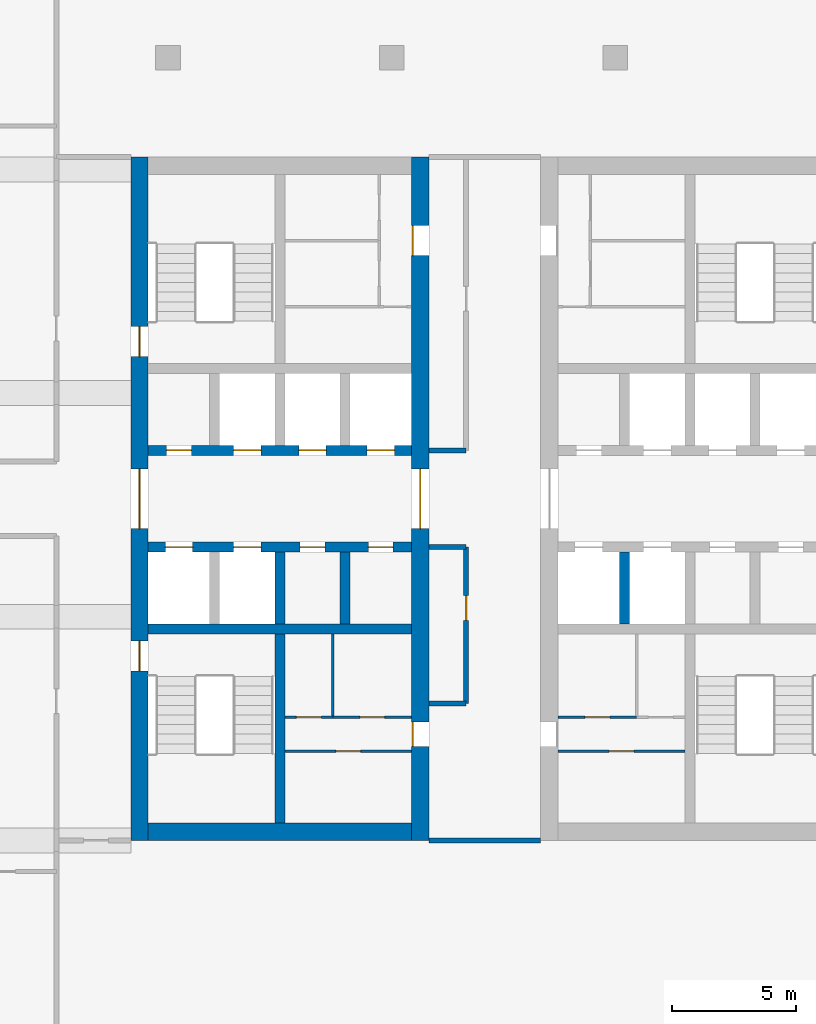
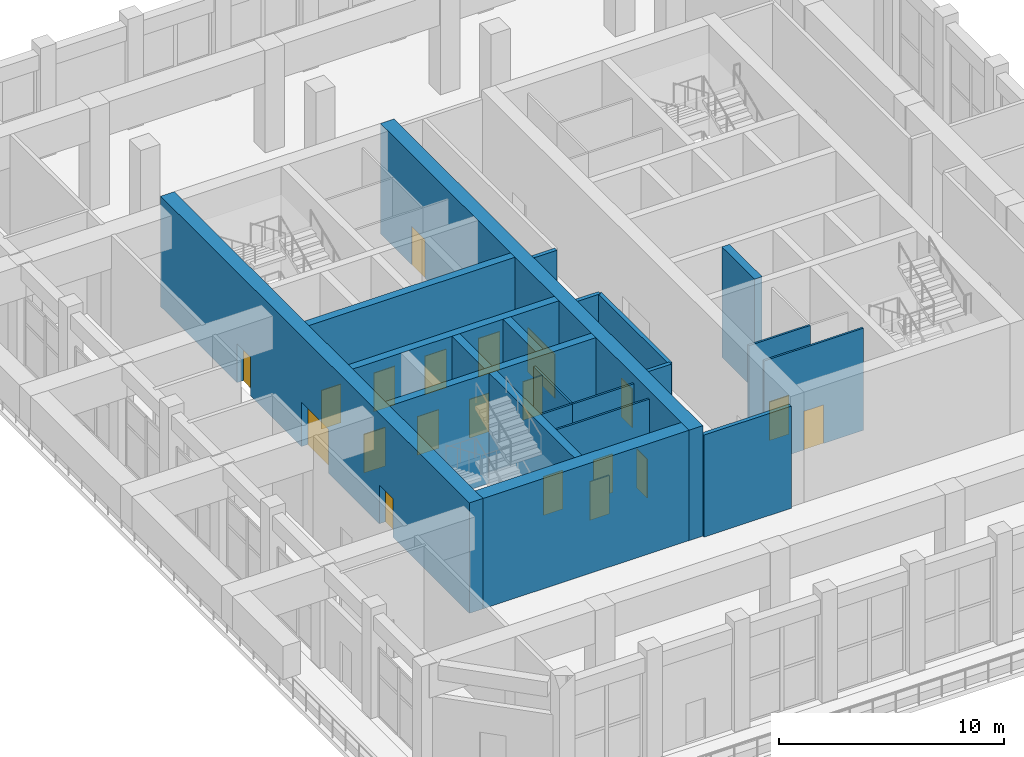
# One storey, part 12 of 25: 21 walls, 20 doors, 20 openings.
"""IFC4 building model written with IfcOpenShell, lengths in metres."""

from ifc_helpers import new_model, si_unit, direction, frame, frame_2d, origin, place, context, subcontext, project, spatial, rectangle, extrude, material, layer, layer_set, type_object, element, fill, save


model = new_model("IFC4")

# Units and contexts
model_context = context("Model", 3, precision=1e-05, world=origin(), true_north=direction((0.0, 1.0)))
body_context = subcontext(model_context, "Body", "Model", "MODEL_VIEW")
ifc_project = project(units=[si_unit("LENGTHUNIT", "METRE"), si_unit("AREAUNIT", "SQUARE_METRE"), si_unit("VOLUMEUNIT", "CUBIC_METRE"), si_unit("PLANEANGLEUNIT", "RADIAN"), si_unit("MASSUNIT", "GRAM", prefix="KILO")], contexts=[model_context])

# Site, building, storey
site_placement = place(None, origin())
site = spatial("IfcSite", under=ifc_project, at=site_placement, CompositionType="ELEMENT")
building_placement = place(site_placement, origin())
building = spatial("IfcBuilding", under=site, at=building_placement, Name="Corbel Stack Research Tower", CompositionType="ELEMENT")
storey_placement = place(building_placement, frame((0.0, 0.0, 260.300048828125)))
storey = spatial("IfcBuildingStorey", under=building, at=storey_placement, Name="L59", CompositionType="ELEMENT", Elevation=260.300048828125)

# Wall
ifc_material_1 = material(Name="Concrete C60/75", Category="concrete")
ifc_layer_1 = layer(ifc_material_1, 0.39990234375)
ifc_layer_set_1 = layer_set([ifc_layer_1], Name="Concrete C60/75")
wall_type_1 = type_object("IfcWallType", Name="CW-400-60", PredefinedType="SHEAR", material=ifc_layer_set_1)
wall_1_placement = place(storey_placement, frame((-9.800048828125, -0.5, 0.0), z_axis=(0.0, 0.0, 1.0), x_axis=(1.0, 0.0, 0.0)))
element("IfcWall", 1, at=wall_1_placement, inside=storey, type_object=wall_type_1, Name="West core wall, south row back L59", PredefinedType="SHEAR", context=body_context, shape_type="SweptSolid", body=[
    extrude(rectangle(XDim=10.60009765625, YDim=0.39990234375, at=frame_2d((5.300048828125, 0.0))), origin(), (0.0, 0.0, 1.0), 6.0),
])

# Wall, openings, doors
wall_2_placement = place(storey_placement, frame((-9.800048828125, 2.800048828125, 0.0), z_axis=(0.0, 0.0, 1.0), x_axis=(1.0, 0.0, 0.0)))
wall_2 = element("IfcWall", 2, at=wall_2_placement, inside=storey, type_object=wall_type_1, Name="West core wall, lobby south L59", PredefinedType="SHEAR", context=body_context, shape_type="SweptSolid", body=[
    extrude(rectangle(XDim=10.60009765625, YDim=0.39990234375, at=frame_2d((5.300048828125, 0.0))), origin(), (0.0, 0.0, 1.0), 6.0),
])
opening_1_placement = place(wall_2_placement, frame((0.6875, 0.0, 0.0)))
opening_1 = element("IfcOpeningElement", 3, at=opening_1_placement, cuts=wall_2, Name="Opening LD-FS1", PredefinedType="OPENING", context=body_context, shape_type="SweptSolid", body=[
    extrude(rectangle(XDim=1.10009765625, YDim=2.10009765625, at=frame_2d((0.550048828125, 1.050048828125))), frame((0.0, 0.2099609375, 0.0), z_axis=(0.0, -1.0, 0.0), x_axis=(1.0, 0.0, 0.0)), (0.0, 0.0, 1.0), 0.419921875),
])
opening_2_placement = place(wall_2_placement, frame((3.4375, 0.0, 0.0)))
opening_2 = element("IfcOpeningElement", 4, at=opening_2_placement, cuts=wall_2, Name="Opening LD-GL1", PredefinedType="OPENING", context=body_context, shape_type="SweptSolid", body=[
    extrude(rectangle(XDim=1.10009765625, YDim=2.10009765625, at=frame_2d((0.550048828125, 1.050048828125))), frame((0.0, 0.2099609375, 0.0), z_axis=(0.0, -1.0, 0.0), x_axis=(1.0, 0.0, 0.0)), (0.0, 0.0, 1.0), 0.419921875),
])
opening_3_placement = place(wall_2_placement, frame((6.112548828125, 0.0, 0.0)))
opening_3 = element("IfcOpeningElement", 5, at=opening_3_placement, cuts=wall_2, Name="Opening CR-W24-S3", PredefinedType="OPENING", context=body_context, shape_type="SweptSolid", body=[
    extrude(rectangle(XDim=1.0, YDim=2.10009765625, at=frame_2d((0.5, 1.050048828125))), frame((0.0, 0.2099609375, 0.0), z_axis=(0.0, -1.0, 0.0), x_axis=(1.0, 0.0, 0.0)), (0.0, 0.0, 1.0), 0.419921875),
])
opening_4_placement = place(wall_2_placement, frame((8.862548828125, 0.0, 0.0)))
opening_4 = element("IfcOpeningElement", 6, at=opening_4_placement, cuts=wall_2, Name="Opening CR-W24-S4", PredefinedType="OPENING", context=body_context, shape_type="SweptSolid", body=[
    extrude(rectangle(XDim=1.0, YDim=2.10009765625, at=frame_2d((0.5, 1.050048828125))), frame((0.0, 0.2099609375, 0.0), z_axis=(0.0, -1.0, 0.0), x_axis=(1.0, 0.0, 0.0)), (0.0, 0.0, 1.0), 0.419921875),
])
ifc_material_2 = material(Name="Stainless steel landing door", Category="steel")
door_type_1 = type_object("IfcDoorType", Name="Lift landing door 1100 x 2100", OperationType="DOUBLE_DOOR_SLIDING", PredefinedType="DOOR", material=ifc_material_2)
door_1_placement = place(opening_1_placement, origin())
door_1 = element("IfcDoor", 7, at=door_1_placement, inside=storey, type_object=door_type_1, Name="Landing door FS1", OperationType="DOUBLE_DOOR_SLIDING", OverallHeight=2.10009765625, OverallWidth=1.10009765625, PredefinedType="DOOR", context=body_context, shape_type="SweptSolid", body=[
    extrude(rectangle(XDim=1.10009765625, YDim=2.10009765625, at=frame_2d((0.550048828125, 1.050048828125))), frame((0.0, 0.02490234375, 0.0), z_axis=(0.0, -1.0, 0.0), x_axis=(1.0, 0.0, 0.0)), (0.0, 0.0, 1.0), 0.050048828125),
])
fill(opening_1, door_1)
door_2_placement = place(opening_2_placement, origin())
door_2 = element("IfcDoor", 8, at=door_2_placement, inside=storey, type_object=door_type_1, Name="Landing door GL1", OperationType="DOUBLE_DOOR_SLIDING", OverallHeight=2.10009765625, OverallWidth=1.10009765625, PredefinedType="DOOR", context=body_context, shape_type="SweptSolid", body=[
    extrude(rectangle(XDim=1.10009765625, YDim=2.10009765625, at=frame_2d((0.550048828125, 1.050048828125))), frame((0.0, 0.02490234375, 0.0), z_axis=(0.0, -1.0, 0.0), x_axis=(1.0, 0.0, 0.0)), (0.0, 0.0, 1.0), 0.050048828125),
])
fill(opening_2, door_2)
ifc_material_3 = material(Name="Painted steel door", Category="steel")
door_type_2 = type_object("IfcDoorType", Name="Service door 1000 x 2100 FD60 left hand", OperationType="SINGLE_SWING_LEFT", PredefinedType="DOOR", material=ifc_material_3)
door_3_placement = place(opening_3_placement, origin())
door_3 = element("IfcDoor", 9, at=door_3_placement, inside=storey, type_object=door_type_2, Name="Vending bay door W core", OperationType="SINGLE_SWING_LEFT", OverallHeight=2.10009765625, OverallWidth=1.0, PredefinedType="DOOR", context=body_context, shape_type="SweptSolid", body=[
    extrude(rectangle(XDim=1.0, YDim=2.10009765625, at=frame_2d((0.5, 1.050048828125))), frame((0.0, 0.02490234375, 0.0), z_axis=(0.0, -1.0, 0.0), x_axis=(1.0, 0.0, 0.0)), (0.0, 0.0, 1.0), 0.050048828125),
])
fill(opening_3, door_3)
ifc_material_4 = material(Name="Painted steel door", Category="steel")
door_type_3 = type_object("IfcDoorType", Name="Service door 1000 x 2100 FD60 right hand", OperationType="SINGLE_SWING_RIGHT", PredefinedType="DOOR", material=ifc_material_4)
door_4_placement = place(opening_4_placement, origin())
door_4 = element("IfcDoor", 10, at=door_4_placement, inside=storey, type_object=door_type_3, Name="Mechanical room door W core", OperationType="SINGLE_SWING_RIGHT", OverallHeight=2.10009765625, OverallWidth=1.0, PredefinedType="DOOR", context=body_context, shape_type="SweptSolid", body=[
    extrude(rectangle(XDim=1.0, YDim=2.10009765625, at=frame_2d((0.5, 1.050048828125))), frame((0.0, 0.02490234375, 0.0), z_axis=(0.0, -1.0, 0.0), x_axis=(1.0, 0.0, 0.0)), (0.0, 0.0, 1.0), 0.050048828125),
])
fill(opening_4, door_4)

wall_3_placement = place(storey_placement, frame((-9.800048828125, 6.699951171875, 0.0), z_axis=(0.0, 0.0, 1.0), x_axis=(1.0, 0.0, 0.0)))
wall_3 = element("IfcWall", 11, at=wall_3_placement, inside=storey, type_object=wall_type_1, Name="West core wall, lobby north L59", PredefinedType="SHEAR", context=body_context, shape_type="SweptSolid", body=[
    extrude(rectangle(XDim=10.60009765625, YDim=0.39990234375, at=frame_2d((5.300048828125, 0.0))), origin(), (0.0, 0.0, 1.0), 6.0),
])
opening_5_placement = place(wall_3_placement, frame((3.4375, 0.0, 0.0)))
opening_5 = element("IfcOpeningElement", 12, at=opening_5_placement, cuts=wall_3, Name="Opening LD-HR1", PredefinedType="OPENING", context=body_context, shape_type="SweptSolid", body=[
    extrude(rectangle(XDim=1.10009765625, YDim=2.10009765625, at=frame_2d((0.550048828125, 1.050048828125))), frame((0.0, 0.2099609375, 0.0), z_axis=(0.0, -1.0, 0.0), x_axis=(1.0, 0.0, 0.0)), (0.0, 0.0, 1.0), 0.419921875),
])
opening_6_placement = place(wall_3_placement, frame((6.0625, 0.0, 0.0)))
opening_6 = element("IfcOpeningElement", 13, at=opening_6_placement, cuts=wall_3, Name="Opening LD-HR2", PredefinedType="OPENING", context=body_context, shape_type="SweptSolid", body=[
    extrude(rectangle(XDim=1.10009765625, YDim=2.10009765625, at=frame_2d((0.550048828125, 1.050048828125))), frame((0.0, 0.2099609375, 0.0), z_axis=(0.0, -1.0, 0.0), x_axis=(1.0, 0.0, 0.0)), (0.0, 0.0, 1.0), 0.419921875),
])
opening_7_placement = place(wall_3_placement, frame((8.8125, 0.0, 0.0)))
opening_7 = element("IfcOpeningElement", 14, at=opening_7_placement, cuts=wall_3, Name="Opening LD-HR3", PredefinedType="OPENING", context=body_context, shape_type="SweptSolid", body=[
    extrude(rectangle(XDim=1.10009765625, YDim=2.10009765625, at=frame_2d((0.550048828125, 1.050048828125))), frame((0.0, 0.2099609375, 0.0), z_axis=(0.0, -1.0, 0.0), x_axis=(1.0, 0.0, 0.0)), (0.0, 0.0, 1.0), 0.419921875),
])
opening_8_placement = place(wall_3_placement, frame((0.737548828125, 0.0, 0.0)))
opening_8 = element("IfcOpeningElement", 15, at=opening_8_placement, cuts=wall_3, Name="Opening CR-W24-N1", PredefinedType="OPENING", context=body_context, shape_type="SweptSolid", body=[
    extrude(rectangle(XDim=1.0, YDim=2.10009765625, at=frame_2d((0.5, 1.050048828125))), frame((0.0, 0.2099609375, 0.0), z_axis=(0.0, -1.0, 0.0), x_axis=(1.0, 0.0, 0.0)), (0.0, 0.0, 1.0), 0.419921875),
])
door_5_placement = place(opening_5_placement, origin())
door_5 = element("IfcDoor", 16, at=door_5_placement, inside=storey, type_object=door_type_1, Name="Landing door HR1", OperationType="DOUBLE_DOOR_SLIDING", OverallHeight=2.10009765625, OverallWidth=1.10009765625, PredefinedType="DOOR", context=body_context, shape_type="SweptSolid", body=[
    extrude(rectangle(XDim=1.10009765625, YDim=2.10009765625, at=frame_2d((0.550048828125, 1.050048828125))), frame((0.0, 0.02490234375, 0.0), z_axis=(0.0, -1.0, 0.0), x_axis=(1.0, 0.0, 0.0)), (0.0, 0.0, 1.0), 0.050048828125),
])
fill(opening_5, door_5)
door_6_placement = place(opening_6_placement, origin())
door_6 = element("IfcDoor", 17, at=door_6_placement, inside=storey, type_object=door_type_1, Name="Landing door HR2", OperationType="DOUBLE_DOOR_SLIDING", OverallHeight=2.10009765625, OverallWidth=1.10009765625, PredefinedType="DOOR", context=body_context, shape_type="SweptSolid", body=[
    extrude(rectangle(XDim=1.10009765625, YDim=2.10009765625, at=frame_2d((0.550048828125, 1.050048828125))), frame((0.0, 0.02490234375, 0.0), z_axis=(0.0, -1.0, 0.0), x_axis=(1.0, 0.0, 0.0)), (0.0, 0.0, 1.0), 0.050048828125),
])
fill(opening_6, door_6)
door_7_placement = place(opening_7_placement, origin())
door_7 = element("IfcDoor", 18, at=door_7_placement, inside=storey, type_object=door_type_1, Name="Landing door HR3", OperationType="DOUBLE_DOOR_SLIDING", OverallHeight=2.10009765625, OverallWidth=1.10009765625, PredefinedType="DOOR", context=body_context, shape_type="SweptSolid", body=[
    extrude(rectangle(XDim=1.10009765625, YDim=2.10009765625, at=frame_2d((0.550048828125, 1.050048828125))), frame((0.0, 0.02490234375, 0.0), z_axis=(0.0, -1.0, 0.0), x_axis=(1.0, 0.0, 0.0)), (0.0, 0.0, 1.0), 0.050048828125),
])
fill(opening_7, door_7)
door_8_placement = place(opening_8_placement, origin())
door_8 = element("IfcDoor", 19, at=door_8_placement, inside=storey, type_object=door_type_2, Name="Telecom room door W core", OperationType="SINGLE_SWING_LEFT", OverallHeight=2.10009765625, OverallWidth=1.0, PredefinedType="DOOR", context=body_context, shape_type="SweptSolid", body=[
    extrude(rectangle(XDim=1.0, YDim=2.10009765625, at=frame_2d((0.5, 1.050048828125))), frame((0.0, 0.02490234375, 0.0), z_axis=(0.0, -1.0, 0.0), x_axis=(1.0, 0.0, 0.0)), (0.0, 0.0, 1.0), 0.050048828125),
])
fill(opening_8, door_8)

# Walls
for number, where, z_axis, x_axis, name in (
    (20, (-4.5, -0.300048828125, 0.0), (0.0, 0.0, 1.0), (0.0, 1.0, 0.0), "West core wall, south shaft 2 L59"),
    (21, (-1.875, -0.300048828125, 0.0), (0.0, 0.0, 1.0), (0.0, 1.0, 0.0), "West core wall, south shaft 3 L59"),
):
    element("IfcWall", number, at=place(storey_placement, frame(where, z_axis=z_axis, x_axis=x_axis)), inside=storey, type_object=wall_type_1, Name=name, PredefinedType="SHEAR", context=body_context, shape_type="SweptSolid", body=[
        extrude(rectangle(XDim=2.900146484375, YDim=0.39990234375, at=frame_2d((1.4501953125, 0.0))), origin(), (0.0, 0.0, 1.0), 6.0),
    ])
wall_4_placement = place(storey_placement, frame((-4.5, -8.300048828125, 0.0), z_axis=(0.0, 0.0, 1.0), x_axis=(0.0, 1.0, 0.0)))
element("IfcWall", 22, at=wall_4_placement, inside=storey, type_object=wall_type_1, Name="West core wall, south stair and WC L59", PredefinedType="SHEAR", context=body_context, shape_type="SweptSolid", body=[
    extrude(rectangle(XDim=7.60009765625, YDim=0.39990234375, at=frame_2d((3.800048828125, 0.0))), origin(), (0.0, 0.0, 1.0), 6.0),
])
wall_5_placement = place(storey_placement, frame((9.375, -0.300048828125, 0.0), z_axis=(0.0, 0.0, 1.0), x_axis=(0.0, 1.0, 0.0)))
element("IfcWall", 23, at=wall_5_placement, inside=storey, type_object=wall_type_1, Name="East core wall, south shaft 1 L59", PredefinedType="SHEAR", context=body_context, shape_type="SweptSolid", body=[
    extrude(rectangle(XDim=2.900146484375, YDim=0.39990234375, at=frame_2d((1.4501953125, 0.0))), origin(), (0.0, 0.0, 1.0), 6.0),
])

# Wall, openings, doors
ifc_material_5 = material(Name="Concrete C60/75", Category="concrete")
ifc_layer_2 = layer(ifc_material_5, 0.699951171875)
ifc_layer_set_2 = layer_set([ifc_layer_2], Name="Concrete C60/75")
wall_type_2 = type_object("IfcWallType", Name="CW-700-60", PredefinedType="SHEAR", material=ifc_layer_set_2)
wall_6_placement = place(storey_placement, frame((-10.14990234375, -9.0, 0.0), z_axis=(0.0, 0.0, 1.0), x_axis=(0.0, 1.0, 0.0)))
wall_6 = element("IfcWall", 24, at=wall_6_placement, inside=storey, type_object=wall_type_2, Name="West core wall, west face L59", PredefinedType="SHEAR", context=body_context, shape_type="SweptSolid", body=[
    extrude(rectangle(XDim=27.5, YDim=0.699951171875, at=frame_2d((13.75, 0.0))), origin(), (0.0, 0.0, 1.0), 6.0),
])
opening_9_placement = place(wall_6_placement, frame((12.550048828125, 0.0, 0.0)))
opening_9 = element("IfcOpeningElement", 25, at=opening_9_placement, cuts=wall_6, Name="Opening CD-W-W", PredefinedType="OPENING", context=body_context, shape_type="SweptSolid", body=[
    extrude(rectangle(XDim=2.39990234375, YDim=2.39990234375, at=frame_2d((1.199951171875, 1.199951171875))), frame((0.0, 0.35986328125, 0.0), z_axis=(0.0, -1.0, 0.0), x_axis=(1.0, 0.0, 0.0)), (0.0, 0.0, 1.0), 0.719970703125),
])
opening_10_placement = place(wall_6_placement, frame((6.824951171875, 0.0, 0.0)))
opening_10 = element("IfcOpeningElement", 26, at=opening_10_placement, cuts=wall_6, Name="Opening SD-ST-W1", PredefinedType="OPENING", context=body_context, shape_type="SweptSolid", body=[
    extrude(rectangle(XDim=1.199951171875, YDim=2.10009765625, at=frame_2d((0.60009765625, 1.050048828125))), frame((0.0, 0.35986328125, 0.0), z_axis=(0.0, -1.0, 0.0), x_axis=(1.0, 0.0, 0.0)), (0.0, 0.0, 1.0), 0.719970703125),
])
opening_11_placement = place(wall_6_placement, frame((19.47509765625, 0.0, 0.0)))
opening_11 = element("IfcOpeningElement", 27, at=opening_11_placement, cuts=wall_6, Name="Opening SD-ST-W2", PredefinedType="OPENING", context=body_context, shape_type="SweptSolid", body=[
    extrude(rectangle(XDim=1.199951171875, YDim=2.10009765625, at=frame_2d((0.60009765625, 1.050048828125))), frame((0.0, 0.35986328125, 0.0), z_axis=(0.0, -1.0, 0.0), x_axis=(1.0, 0.0, 0.0)), (0.0, 0.0, 1.0), 0.719970703125),
])
ifc_material_6 = material(Name="Painted steel fire door", Category="steel")
door_type_4 = type_object("IfcDoorType", Name="Lobby door pair 2400 x 2400 FD30S", OperationType="DOUBLE_DOOR_DOUBLE_SWING", PredefinedType="DOOR", material=ifc_material_6)
door_9_placement = place(opening_9_placement, origin())
door_9 = element("IfcDoor", 28, at=door_9_placement, inside=storey, type_object=door_type_4, Name="Lift lobby door W core W", OperationType="DOUBLE_DOOR_DOUBLE_SWING", OverallHeight=2.39990234375, OverallWidth=2.39990234375, PredefinedType="DOOR", context=body_context, shape_type="SweptSolid", body=[
    extrude(rectangle(XDim=2.39990234375, YDim=2.39990234375, at=frame_2d((1.199951171875, 1.199951171875))), frame((0.0, 0.02490234375, 0.0), z_axis=(0.0, -1.0, 0.0), x_axis=(1.0, 0.0, 0.0)), (0.0, 0.0, 1.0), 0.050048828125),
])
fill(opening_9, door_9)
ifc_material_7 = material(Name="Painted steel fire door", Category="steel")
door_type_5 = type_object("IfcDoorType", Name="Stair door 1200 x 2100 FD90 left hand", OperationType="SINGLE_SWING_LEFT", PredefinedType="DOOR", material=ifc_material_7)
door_10_placement = place(opening_10_placement, origin())
door_10 = element("IfcDoor", 29, at=door_10_placement, inside=storey, type_object=door_type_5, Name="Stair door ST-W1", OperationType="SINGLE_SWING_LEFT", OverallHeight=2.10009765625, OverallWidth=1.199951171875, PredefinedType="DOOR", context=body_context, shape_type="SweptSolid", body=[
    extrude(rectangle(XDim=1.199951171875, YDim=2.10009765625, at=frame_2d((0.60009765625, 1.050048828125))), frame((0.0, 0.02490234375, 0.0), z_axis=(0.0, -1.0, 0.0), x_axis=(1.0, 0.0, 0.0)), (0.0, 0.0, 1.0), 0.050048828125),
])
fill(opening_10, door_10)
door_11_placement = place(opening_11_placement, origin())
door_11 = element("IfcDoor", 30, at=door_11_placement, inside=storey, type_object=door_type_5, Name="Stair door ST-W2", OperationType="SINGLE_SWING_LEFT", OverallHeight=2.10009765625, OverallWidth=1.199951171875, PredefinedType="DOOR", context=body_context, shape_type="SweptSolid", body=[
    extrude(rectangle(XDim=1.199951171875, YDim=2.10009765625, at=frame_2d((0.60009765625, 1.050048828125))), frame((0.0, 0.02490234375, 0.0), z_axis=(0.0, -1.0, 0.0), x_axis=(1.0, 0.0, 0.0)), (0.0, 0.0, 1.0), 0.050048828125),
])
fill(opening_11, door_11)

wall_7_placement = place(storey_placement, frame((1.14990234375, -9.0, 0.0), z_axis=(0.0, 0.0, 1.0), x_axis=(0.0, 1.0, 0.0)))
wall_7 = element("IfcWall", 31, at=wall_7_placement, inside=storey, type_object=wall_type_2, Name="West core wall, east face L59", PredefinedType="SHEAR", context=body_context, shape_type="SweptSolid", body=[
    extrude(rectangle(XDim=27.5, YDim=0.699951171875, at=frame_2d((13.75, 0.0))), origin(), (0.0, 0.0, 1.0), 6.0),
])
opening_12_placement = place(wall_7_placement, frame((12.550048828125, 0.0, 0.0)))
opening_12 = element("IfcOpeningElement", 32, at=opening_12_placement, cuts=wall_7, Name="Opening CD-W-E", PredefinedType="OPENING", context=body_context, shape_type="SweptSolid", body=[
    extrude(rectangle(XDim=2.39990234375, YDim=2.39990234375, at=frame_2d((1.199951171875, 1.199951171875))), frame((0.0, 0.35986328125, 0.0), z_axis=(0.0, -1.0, 0.0), x_axis=(1.0, 0.0, 0.0)), (0.0, 0.0, 1.0), 0.719970703125),
])
opening_13_placement = place(wall_7_placement, frame((3.7880859375, 0.0, 0.0)))
opening_13 = element("IfcOpeningElement", 33, at=opening_13_placement, cuts=wall_7, Name="Opening CR-W24-W1-968", PredefinedType="OPENING", context=body_context, shape_type="SweptSolid", body=[
    extrude(rectangle(XDim=0.968017578125, YDim=2.10009765625, at=frame_2d((0.48388671875, 1.050048828125))), frame((0.0, 0.35986328125, 0.0), z_axis=(0.0, -1.0, 0.0), x_axis=(1.0, 0.0, 0.0)), (0.0, 0.0, 1.0), 0.719970703125),
])
opening_14_placement = place(wall_7_placement, frame((23.5400390625, 0.0, 0.0)))
opening_14 = element("IfcOpeningElement", 34, at=opening_14_placement, cuts=wall_7, Name="Opening CR-W24-R2-1200", PredefinedType="OPENING", context=body_context, shape_type="SweptSolid", body=[
    extrude(rectangle(XDim=1.199951171875, YDim=2.10009765625, at=frame_2d((0.60009765625, 1.050048828125))), frame((0.0, 0.35986328125, 0.0), z_axis=(0.0, -1.0, 0.0), x_axis=(1.0, 0.0, 0.0)), (0.0, 0.0, 1.0), 0.719970703125),
])
door_12_placement = place(opening_12_placement, origin())
door_12 = element("IfcDoor", 35, at=door_12_placement, inside=storey, type_object=door_type_4, Name="Lift lobby door W core E", OperationType="DOUBLE_DOOR_DOUBLE_SWING", OverallHeight=2.39990234375, OverallWidth=2.39990234375, PredefinedType="DOOR", context=body_context, shape_type="SweptSolid", body=[
    extrude(rectangle(XDim=2.39990234375, YDim=2.39990234375, at=frame_2d((1.199951171875, 1.199951171875))), frame((0.0, 0.02490234375, 0.0), z_axis=(0.0, -1.0, 0.0), x_axis=(1.0, 0.0, 0.0)), (0.0, 0.0, 1.0), 0.050048828125),
])
fill(opening_12, door_12)
ifc_material_8 = material(Name="Painted steel door", Category="steel")
door_type_6 = type_object("IfcDoorType", Name="Service door 1200 x 2100 FD30 right hand", OperationType="SINGLE_SWING_RIGHT", PredefinedType="DOOR", material=ifc_material_8)
door_13_placement = place(opening_14_placement, origin())
door_13 = element("IfcDoor", 36, at=door_13_placement, inside=storey, type_object=door_type_6, Name="Service passage door W core", OperationType="SINGLE_SWING_RIGHT", OverallHeight=2.10009765625, OverallWidth=1.199951171875, PredefinedType="DOOR", context=body_context, shape_type="SweptSolid", body=[
    extrude(rectangle(XDim=1.199951171875, YDim=2.10009765625, at=frame_2d((0.60009765625, 1.050048828125))), frame((0.0, 0.3251953125, 0.0), z_axis=(0.0, -1.0, 0.0), x_axis=(1.0, 0.0, 0.0)), (0.0, 0.0, 1.0), 0.050048828125),
])
fill(opening_14, door_13)
ifc_material_9 = material(Name="Painted timber door", Category="wood")
door_type_7 = type_object("IfcDoorType", Name="WC door 968 x 2100 left hand", OperationType="SINGLE_SWING_LEFT", PredefinedType="DOOR", material=ifc_material_9)
door_14_placement = place(opening_13_placement, origin())
door_14 = element("IfcDoor", 37, at=door_14_placement, inside=storey, type_object=door_type_7, Name="WC lobby door W core", OperationType="SINGLE_SWING_LEFT", OverallHeight=2.10009765625, OverallWidth=0.968017578125, PredefinedType="DOOR", context=body_context, shape_type="SweptSolid", body=[
    extrude(rectangle(XDim=0.968017578125, YDim=2.10009765625, at=frame_2d((0.48388671875, 1.050048828125))), frame((0.0, 0.3251953125, 0.0), z_axis=(0.0, -1.0, 0.0), x_axis=(1.0, 0.0, 0.0)), (0.0, 0.0, 1.0), 0.050048828125),
])
fill(opening_13, door_14)

# Wall
wall_8_placement = place(storey_placement, frame((-9.800048828125, -8.64990234375, 0.0), z_axis=(0.0, 0.0, 1.0), x_axis=(1.0, 0.0, 0.0)))
element("IfcWall", 38, at=wall_8_placement, inside=storey, type_object=wall_type_2, Name="West core wall, south end L59", PredefinedType="SHEAR", context=body_context, shape_type="SweptSolid", body=[
    extrude(rectangle(XDim=10.60009765625, YDim=0.699951171875, at=frame_2d((5.300048828125, 0.0))), origin(), (0.0, 0.0, 1.0), 6.0),
])

# Wall, opening, door
ifc_material_10 = material(Name="Gypsum board")
ifc_layer_3 = layer(ifc_material_10, 0.10009765625)
ifc_layer_set_3 = layer_set([ifc_layer_3], Name="Gypsum board")
wall_type_3 = type_object("IfcWallType", Name="Core partition 100", PredefinedType="PARTITIONING", material=ifc_layer_set_3)
wall_9_placement = place(storey_placement, frame((-4.300048828125, -5.412109375, 0.0), z_axis=(0.0, 0.0, 1.0), x_axis=(1.0, 0.0, 0.0)))
wall_9 = element("IfcWall", 39, at=wall_9_placement, inside=storey, type_object=wall_type_3, Name="Core partition W", PredefinedType="PARTITIONING", context=body_context, shape_type="SweptSolid", body=[
    extrude(rectangle(XDim=5.10009765625, YDim=0.10009765625, at=frame_2d((2.550048828125, 0.0))), origin(), (0.0, 0.0, 1.0), 5.550048828125),
])
opening_15_placement = place(wall_9_placement, frame((2.050048828125, 0.0, 0.0)))
opening_15 = element("IfcOpeningElement", 40, at=opening_15_placement, cuts=wall_9, Name="Opening CR-W24-W2-1000", PredefinedType="OPENING", context=body_context, shape_type="SweptSolid", body=[
    extrude(rectangle(XDim=1.0, YDim=2.10009765625, at=frame_2d((0.5, 1.050048828125))), frame((0.0, 0.06005859375, 0.0), z_axis=(0.0, -1.0, 0.0), x_axis=(1.0, 0.0, 0.0)), (0.0, 0.0, 1.0), 0.1201171875),
])
ifc_material_11 = material(Name="Painted timber door", Category="wood")
door_type_8 = type_object("IfcDoorType", Name="WC door 1000 x 2100 right hand", OperationType="SINGLE_SWING_RIGHT", PredefinedType="DOOR", material=ifc_material_11)
door_15_placement = place(opening_15_placement, origin())
door_15 = element("IfcDoor", 41, at=door_15_placement, inside=storey, type_object=door_type_8, Name="Men's WC door W core", OperationType="SINGLE_SWING_RIGHT", OverallHeight=2.10009765625, OverallWidth=1.0, PredefinedType="DOOR", context=body_context, shape_type="SweptSolid", body=[
    extrude(rectangle(XDim=1.0, YDim=2.10009765625, at=frame_2d((0.5, 1.050048828125))), frame((0.0, 0.02490234375, 0.0), z_axis=(0.0, -1.0, 0.0), x_axis=(1.0, 0.0, 0.0)), (0.0, 0.0, 1.0), 0.050048828125),
])
fill(opening_15, door_15)

wall_10_placement = place(storey_placement, frame((-2.362060546875, -4.0439453125, 0.0), z_axis=(0.0, 0.0, 1.0), x_axis=(1.0, 0.0, 0.0)))
wall_10 = element("IfcWall", 42, at=wall_10_placement, inside=storey, type_object=wall_type_3, Name="Core partition W", PredefinedType="PARTITIONING", context=body_context, shape_type="SweptSolid", body=[
    extrude(rectangle(XDim=3.162109375, YDim=0.10009765625, at=frame_2d((1.5810546875, 0.0))), origin(), (0.0, 0.0, 1.0), 5.550048828125),
])
opening_16_placement = place(wall_10_placement, frame((1.0810546875, 0.0, 0.0)))
opening_16 = element("IfcOpeningElement", 43, at=opening_16_placement, cuts=wall_10, Name="Opening CR-W24-W3-1000", PredefinedType="OPENING", context=body_context, shape_type="SweptSolid", body=[
    extrude(rectangle(XDim=1.0, YDim=2.10009765625, at=frame_2d((0.5, 1.050048828125))), frame((0.0, 0.06005859375, 0.0), z_axis=(0.0, -1.0, 0.0), x_axis=(1.0, 0.0, 0.0)), (0.0, 0.0, 1.0), 0.1201171875),
])
ifc_material_12 = material(Name="Painted timber door", Category="wood")
door_type_9 = type_object("IfcDoorType", Name="WC door 1000 x 2100 left hand", OperationType="SINGLE_SWING_LEFT", PredefinedType="DOOR", material=ifc_material_12)
door_16_placement = place(opening_16_placement, origin())
door_16 = element("IfcDoor", 44, at=door_16_placement, inside=storey, type_object=door_type_9, Name="Women's WC door W core", OperationType="SINGLE_SWING_LEFT", OverallHeight=2.10009765625, OverallWidth=1.0, PredefinedType="DOOR", context=body_context, shape_type="SweptSolid", body=[
    extrude(rectangle(XDim=1.0, YDim=2.10009765625, at=frame_2d((0.5, 1.050048828125))), frame((0.0, 0.02490234375, 0.0), z_axis=(0.0, -1.0, 0.0), x_axis=(1.0, 0.0, 0.0)), (0.0, 0.0, 1.0), 0.050048828125),
])
fill(opening_16, door_16)

wall_11_placement = place(storey_placement, frame((-4.300048828125, -4.0439453125, 0.0), z_axis=(0.0, 0.0, 1.0), x_axis=(1.0, 0.0, 0.0)))
wall_11 = element("IfcWall", 45, at=wall_11_placement, inside=storey, type_object=wall_type_3, Name="Core partition W", PredefinedType="PARTITIONING", context=body_context, shape_type="SweptSolid", body=[
    extrude(rectangle(XDim=1.93798828125, YDim=0.10009765625, at=frame_2d((0.968994140625, 0.0))), origin(), (0.0, 0.0, 1.0), 5.550048828125),
])
opening_17_placement = place(wall_11_placement, frame((0.468994140625, 0.0, 0.0)))
opening_17 = element("IfcOpeningElement", 46, at=opening_17_placement, cuts=wall_11, Name="Opening CR-W24-W4-1000", PredefinedType="OPENING", context=body_context, shape_type="SweptSolid", body=[
    extrude(rectangle(XDim=1.0, YDim=2.10009765625, at=frame_2d((0.5, 1.050048828125))), frame((0.0, 0.06005859375, 0.0), z_axis=(0.0, -1.0, 0.0), x_axis=(1.0, 0.0, 0.0)), (0.0, 0.0, 1.0), 0.1201171875),
])
door_17_placement = place(opening_17_placement, origin())
door_17 = element("IfcDoor", 47, at=door_17_placement, inside=storey, type_object=door_type_8, Name="Accessible WC door W core", OperationType="SINGLE_SWING_RIGHT", OverallHeight=2.10009765625, OverallWidth=1.0, PredefinedType="DOOR", context=body_context, shape_type="SweptSolid", body=[
    extrude(rectangle(XDim=1.0, YDim=2.10009765625, at=frame_2d((0.5, 1.050048828125))), frame((0.0, 0.02490234375, 0.0), z_axis=(0.0, -1.0, 0.0), x_axis=(1.0, 0.0, 0.0)), (0.0, 0.0, 1.0), 0.050048828125),
])
fill(opening_17, door_17)

# Wall
wall_12_placement = place(storey_placement, frame((-2.362060546875, -4.0439453125, 0.0), z_axis=(0.0, 0.0, 1.0), x_axis=(0.0, 1.0, 0.0)))
element("IfcWall", 48, at=wall_12_placement, inside=storey, type_object=wall_type_3, Name="Core partition W", PredefinedType="PARTITIONING", context=body_context, shape_type="SweptSolid", body=[
    extrude(rectangle(XDim=3.343994140625, YDim=0.10009765625, at=frame_2d((1.671875, 0.0))), origin(), (0.0, 0.0, 1.0), 5.550048828125),
])

# Wall, opening, door
wall_13_placement = place(storey_placement, frame((6.699951171875, -5.412109375, 0.0), z_axis=(0.0, 0.0, 1.0), x_axis=(1.0, 0.0, 0.0)))
wall_13 = element("IfcWall", 49, at=wall_13_placement, inside=storey, type_object=wall_type_3, Name="Core partition E", PredefinedType="PARTITIONING", context=body_context, shape_type="SweptSolid", body=[
    extrude(rectangle(XDim=5.10009765625, YDim=0.10009765625, at=frame_2d((2.550048828125, 0.0))), origin(), (0.0, 0.0, 1.0), 5.550048828125),
])
opening_18_placement = place(wall_13_placement, frame((2.050048828125, 0.0, 0.0)))
opening_18 = element("IfcOpeningElement", 50, at=opening_18_placement, cuts=wall_13, Name="Opening CR-E24-W2-1000", PredefinedType="OPENING", context=body_context, shape_type="SweptSolid", body=[
    extrude(rectangle(XDim=1.0, YDim=2.10009765625, at=frame_2d((0.5, 1.050048828125))), frame((0.0, 0.06005859375, 0.0), z_axis=(0.0, -1.0, 0.0), x_axis=(1.0, 0.0, 0.0)), (0.0, 0.0, 1.0), 0.1201171875),
])
door_18_placement = place(opening_18_placement, origin())
door_18 = element("IfcDoor", 51, at=door_18_placement, inside=storey, type_object=door_type_9, Name="Men's WC door E core", OperationType="SINGLE_SWING_LEFT", OverallHeight=2.10009765625, OverallWidth=1.0, PredefinedType="DOOR", context=body_context, shape_type="SweptSolid", body=[
    extrude(rectangle(XDim=1.0, YDim=2.10009765625, at=frame_2d((0.5, 1.050048828125))), frame((0.0, 0.02490234375, 0.0), z_axis=(0.0, -1.0, 0.0), x_axis=(1.0, 0.0, 0.0)), (0.0, 0.0, 1.0), 0.050048828125),
])
fill(opening_18, door_18)

wall_14_placement = place(storey_placement, frame((6.699951171875, -4.0439453125, 0.0), z_axis=(0.0, 0.0, 1.0), x_axis=(1.0, 0.0, 0.0)))
wall_14 = element("IfcWall", 52, at=wall_14_placement, inside=storey, type_object=wall_type_3, Name="Core partition E", PredefinedType="PARTITIONING", context=body_context, shape_type="SweptSolid", body=[
    extrude(rectangle(XDim=3.162109375, YDim=0.10009765625, at=frame_2d((1.5810546875, 0.0))), origin(), (0.0, 0.0, 1.0), 5.550048828125),
])
opening_19_placement = place(wall_14_placement, frame((1.0810546875, 0.0, 0.0)))
opening_19 = element("IfcOpeningElement", 53, at=opening_19_placement, cuts=wall_14, Name="Opening CR-E24-W3-1000", PredefinedType="OPENING", context=body_context, shape_type="SweptSolid", body=[
    extrude(rectangle(XDim=1.0, YDim=2.10009765625, at=frame_2d((0.5, 1.050048828125))), frame((0.0, 0.06005859375, 0.0), z_axis=(0.0, -1.0, 0.0), x_axis=(1.0, 0.0, 0.0)), (0.0, 0.0, 1.0), 0.1201171875),
])
door_19_placement = place(opening_19_placement, origin())
door_19 = element("IfcDoor", 54, at=door_19_placement, inside=storey, type_object=door_type_8, Name="Women's WC door E core", OperationType="SINGLE_SWING_RIGHT", OverallHeight=2.10009765625, OverallWidth=1.0, PredefinedType="DOOR", context=body_context, shape_type="SweptSolid", body=[
    extrude(rectangle(XDim=1.0, YDim=2.10009765625, at=frame_2d((0.5, 1.050048828125))), frame((0.0, 0.02490234375, 0.0), z_axis=(0.0, -1.0, 0.0), x_axis=(1.0, 0.0, 0.0)), (0.0, 0.0, 1.0), 0.050048828125),
])
fill(opening_19, door_19)

ifc_material_13 = material(Name="Fire-rated gypsum board partition on steel studs", Category="steel")
ifc_layer_4 = layer(ifc_material_13, 0.199951171875)
ifc_layer_set_4 = layer_set([ifc_layer_4], Name="Fire-rated gypsum board partition on steel studs")
wall_type_4 = type_object("IfcWallType", Name="Fire-rated partition 200 EI 60", PredefinedType="PARTITIONING", material=ifc_layer_set_4)
wall_15_placement = place(storey_placement, frame((3.0, -3.5, 0.0), z_axis=(0.0, 0.0, 1.0), x_axis=(0.0, 1.0, 0.0)))
wall_15 = element("IfcWall", 55, at=wall_15_placement, inside=storey, type_object=wall_type_4, Name="Partition L59-015", PredefinedType="PARTITIONING", context=body_context, shape_type="SweptSolid", body=[
    extrude(rectangle(XDim=6.300048828125, YDim=0.199951171875, at=frame_2d((3.14990234375, 0.0))), origin(), (0.0, 0.0, 1.0), 5.550048828125),
])
opening_20_placement = place(wall_15_placement, frame((3.35009765625, 0.0, 0.0)))
opening_20 = element("IfcOpeningElement", 56, at=opening_20_placement, cuts=wall_15, Name="Opening B7AM-006", PredefinedType="OPENING", context=body_context, shape_type="SweptSolid", body=[
    extrude(rectangle(XDim=1.0, YDim=2.10009765625, at=frame_2d((0.5, 1.050048828125))), frame((0.0, 0.10986328125, 0.0), z_axis=(0.0, -1.0, 0.0), x_axis=(1.0, 0.0, 0.0)), (0.0, 0.0, 1.0), 0.219970703125),
])
ifc_material_14 = material(Name="Painted steel fire door", Category="steel")
door_type_10 = type_object("IfcDoorType", Name="Fire door FD30S 1000 x 2100", OperationType="NOTDEFINED", PredefinedType="DOOR", material=ifc_material_14)
door_20_placement = place(opening_20_placement, origin())
door_20 = element("IfcDoor", 57, at=door_20_placement, inside=storey, type_object=door_type_10, Name="Door B7AM-006", OperationType="SINGLE_SWING_RIGHT", OverallHeight=2.10009765625, OverallWidth=1.0, PredefinedType="DOOR", context=body_context, shape_type="SweptSolid", body=[
    extrude(rectangle(XDim=1.0, YDim=2.10009765625, at=frame_2d((0.5, 1.050048828125))), frame((0.0, 0.02490234375, 0.0), z_axis=(0.0, -1.0, 0.0), x_axis=(1.0, 0.0, 0.0)), (0.0, 0.0, 1.0), 0.050048828125),
])
fill(opening_20, door_20)

# Walls
wall_16_placement = place(storey_placement, frame((1.5, -9.0, 0.0), z_axis=(0.0, 0.0, 1.0), x_axis=(1.0, 0.0, 0.0)))
element("IfcWall", 58, at=wall_16_placement, inside=storey, type_object=wall_type_4, Name="Partition L59-026", PredefinedType="PARTITIONING", context=body_context, shape_type="SweptSolid", body=[
    extrude(rectangle(XDim=4.5, YDim=0.199951171875, at=frame_2d((2.25, 0.0))), origin(), (0.0, 0.0, 1.0), 5.550048828125),
])
for number, where, z_axis, x_axis, name in (
    (59, (1.5, -3.5, 0.0), (0.0, 0.0, 1.0), (1.0, 0.0, 0.0), "Partition L59-028"),
    (60, (1.5, 2.800048828125, 0.0), (0.0, 0.0, 1.0), (1.0, 0.0, 0.0), "Partition L59-029"),
    (61, (1.5, 6.699951171875, 0.0), (0.0, 0.0, 1.0), (1.0, 0.0, 0.0), "Partition L59-038"),
):
    element("IfcWall", number, at=place(storey_placement, frame(where, z_axis=z_axis, x_axis=x_axis)), inside=storey, type_object=wall_type_4, Name=name, PredefinedType="PARTITIONING", context=body_context, shape_type="SweptSolid", body=[
        extrude(rectangle(XDim=1.5, YDim=0.199951171875, at=frame_2d((0.75, 0.0))), origin(), (0.0, 0.0, 1.0), 5.550048828125),
    ])

save(model, "model.ifc")
